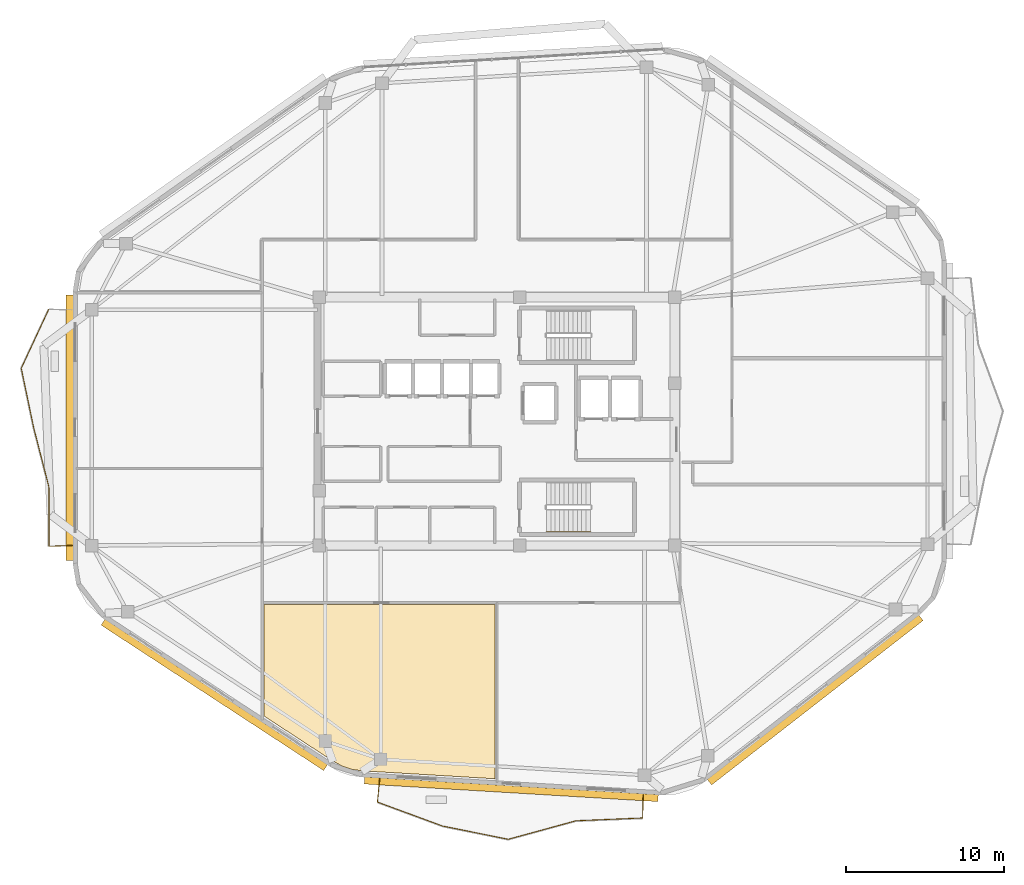
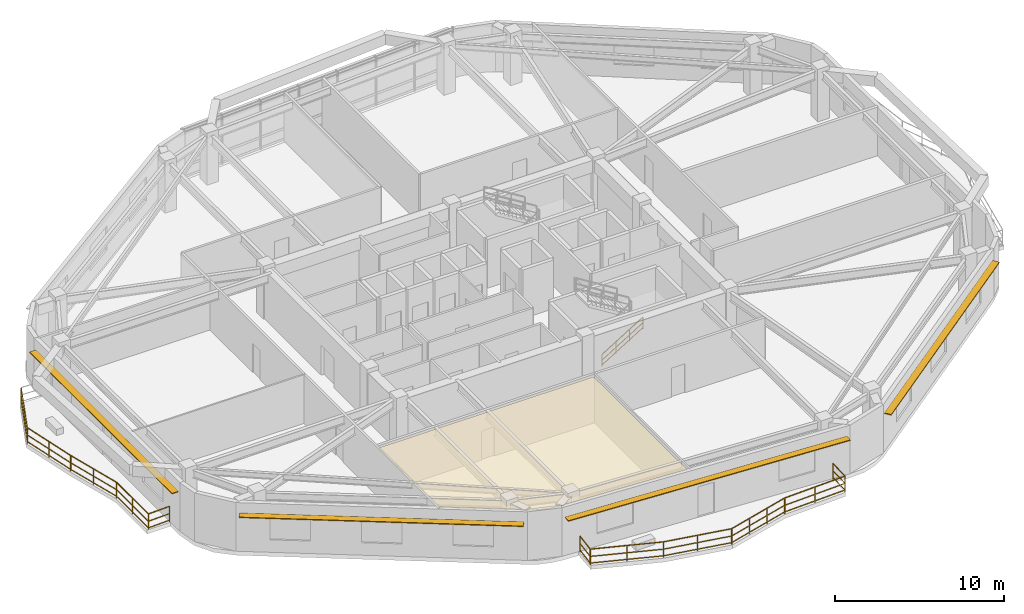
# One storey, part 10 of 12: 12 railings, 4 shading devices, 1 covering.
"""IFC4 building model written with IfcOpenShell, lengths in metres."""

import ifcopenshell
import ifcopenshell.guid

model = None  # the IFC model being written
_history = None  # IfcOwnerHistory: only IFC2X3 demands one
_inside = {}  # id of a spatial element -> (the spatial element, [elements in it])
_under = {}  # id of a project, library or spatial element -> (it, [spatial elements below it])
_declared = {}  # id of a project -> (the project, [libraries it declares])
_typed = {}  # id of a type object -> (the type object, [elements of that type])
_made_of = {}  # id of a material, layer set ... -> (it, [elements and type objects made of it])


def new_model(schema):
    """Start an empty IFC model of exactly this schema.

    Asked for "IFC4X3", IfcOpenShell would pick the latest addendum, in which some entities
    have other attributes; the version numbers below select the first issue.
    IFC2X3 requires an IfcOwnerHistory on every rooted entity: one is made here for all.
    """
    global model, _history
    if schema == "IFC4X3":
        model = ifcopenshell.file(schema_version=(4, 3, 0, 0))
    else:
        model = ifcopenshell.file(schema=schema)
    _inside.clear()
    _under.clear()
    _declared.clear()
    _typed.clear()
    _made_of.clear()
    _history = None
    if model.schema == "IFC2X3":
        org = make("IfcOrganization", Name="unknown")
        user = make(
            "IfcPersonAndOrganization",
            ThePerson=make("IfcPerson", FamilyName="unknown"),
            TheOrganization=org,
        )
        app = make(
            "IfcApplication",
            ApplicationDeveloper=org,
            Version="unknown",
            ApplicationFullName="unknown",
            ApplicationIdentifier="unknown",
        )
        _history = make(
            "IfcOwnerHistory",
            OwningUser=user,
            OwningApplication=app,
            ChangeAction="ADDED",
            CreationDate=0,
        )
    return model


def make(cls, **values):
    """One entity of the class cls with the attributes given. An attribute that is None is left unset."""
    return model.create_entity(
        cls, **{name: value for name, value in values.items() if value is not None}
    )


def rooted(cls, **values):
    """An entity with a GlobalId (a new one), such as an element, a storey or a relation."""
    return make(cls, GlobalId=ifcopenshell.guid.new(), OwnerHistory=_history, **values)


def si_unit(unit_type, name, prefix=None):
    """IfcSIUnit, for example si_unit("LENGTHUNIT", "METRE", prefix="MILLI")."""
    return make("IfcSIUnit", UnitType=unit_type, Prefix=prefix, Name=name)


def assignment(units):
    """IfcUnitAssignment: the units of a project."""
    return None if units is None else make("IfcUnitAssignment", Units=units)


def point(xyz):
    """IfcCartesianPoint."""
    return None if xyz is None else make("IfcCartesianPoint", Coordinates=xyz)


def direction(xyz):
    """IfcDirection."""
    return None if xyz is None else make("IfcDirection", DirectionRatios=xyz)


def frame(location, z_axis=None, x_axis=None):
    """IfcAxis2Placement3D, a coordinate frame: its origin and axes. An axis left out is left unset."""
    return make(
        "IfcAxis2Placement3D",
        Location=point(location),
        Axis=direction(z_axis),
        RefDirection=direction(x_axis),
    )


def frame_2d(location, x_axis=None):
    """IfcAxis2Placement2D, a coordinate frame in the plane: its origin and x axis."""
    return make(
        "IfcAxis2Placement2D", Location=point(location), RefDirection=direction(x_axis)
    )


def origin():
    """The frame at (0, 0, 0) with its axes left unset."""
    return frame((0.0, 0.0, 0.0))


def origin_2d():
    """The frame at (0, 0) in the plane with its x axis left unset."""
    return frame_2d((0.0, 0.0))


def place(relative_to, where):
    """IfcLocalPlacement: puts the frame where relative to a parent placement (None: the world)."""
    return make(
        "IfcLocalPlacement", PlacementRelTo=relative_to, RelativePlacement=where
    )


def context(
    kind, dimensions, precision=None, world=None, true_north=None, identifier=None
):
    """IfcGeometricRepresentationContext, for example the 3D "Model" context."""
    return make(
        "IfcGeometricRepresentationContext",
        ContextIdentifier=identifier,
        ContextType=kind,
        CoordinateSpaceDimension=dimensions,
        Precision=precision,
        WorldCoordinateSystem=world,
        TrueNorth=true_north,
    )


def subcontext(parent, identifier, kind, view, scale=None):
    """IfcGeometricRepresentationSubContext, for example "Body" below "Model"."""
    return make(
        "IfcGeometricRepresentationSubContext",
        ContextIdentifier=identifier,
        ContextType=kind,
        ParentContext=parent,
        TargetScale=scale,
        TargetView=view,
    )


def project(units=None, contexts=None):
    """IfcProject with its units and contexts."""
    return rooted(
        "IfcProject",
        Name="project",
        RepresentationContexts=contexts,
        UnitsInContext=assignment(units),
    )


def spatial(cls, under=None, at=None, **own):
    """A site, building, storey or space (cls), placed at a placement, below another one or the project."""
    s = rooted(cls, ObjectPlacement=at, **own)
    if under is not None:
        _under.setdefault(under.id(), (under, []))[1].append(s)
    return s


def polyline(points):
    """IfcPolyline through the points."""
    return make("IfcPolyline", Points=[point(p) for p in points])


def profile(cls, at=None, kind="AREA", **sizes):
    """A parametric profile (cls). Its sizes go by their IFC names, for example OverallWidth=200.0."""
    return make(cls, ProfileType=kind, Position=at, **sizes)


def rectangle(**sizes):
    """IfcRectangleProfileDef."""
    return profile("IfcRectangleProfileDef", **sizes)


def outline(outer, holes=None, kind="AREA"):
    """IfcArbitraryClosedProfileDef: a profile drawn as a closed curve; with holes, ...WithVoids."""
    if holes is None:
        return make("IfcArbitraryClosedProfileDef", ProfileType=kind, OuterCurve=outer)
    return make(
        "IfcArbitraryProfileDefWithVoids",
        ProfileType=kind,
        OuterCurve=outer,
        InnerCurves=holes,
    )


def extrude(swept, where, along, depth):
    """IfcExtrudedAreaSolid: the profile swept, set in the frame where, extruded along a direction by depth."""
    return make(
        "IfcExtrudedAreaSolid",
        SweptArea=swept,
        Position=where,
        ExtrudedDirection=direction(along),
        Depth=depth,
    )


def shape(context_of_items, identifier, shape_type, items):
    """IfcShapeRepresentation: the items that make up one representation, for example the "Body"."""
    return make(
        "IfcShapeRepresentation",
        ContextOfItems=context_of_items,
        RepresentationIdentifier=identifier,
        RepresentationType=shape_type,
        Items=items,
    )


def material(Name=None, Category=None):
    """IfcMaterial."""
    return make("IfcMaterial", Name=Name, Category=Category)


def layer(
    of_material, thickness, ventilated=None, Name=None, Category=None, Priority=None
):
    """IfcMaterialLayer: one layer of a wall or slab, of a material (None: an air gap)."""
    return make(
        "IfcMaterialLayer",
        Material=of_material,
        LayerThickness=thickness,
        IsVentilated=ventilated,
        Name=Name,
        Category=Category,
        Priority=Priority,
    )


def layer_set(layers, Name=None):
    """IfcMaterialLayerSet."""
    return make("IfcMaterialLayerSet", MaterialLayers=layers, LayerSetName=Name)


def made_of(thing, what):
    """Note that an element or type object is made of a material, layer set ...; save() writes the relation."""
    if what is not None:
        _made_of.setdefault(what.id(), (what, []))[1].append(thing)
    return thing


def type_object(cls, material=None, **own):
    """A type object (cls), such as IfcWallType, which elements share."""
    return made_of(rooted(cls, **own), material)


def element(
    cls,
    number,
    at=None,
    inside=None,
    cuts=None,
    type_object=None,
    material=None,
    context=None,
    identifier="Body",
    shape_type=None,
    held_by="IfcProductDefinitionShape",
    body=None,
    shapes=None,
    **own,
):
    """One element of the class cls, such as IfcWall. Its Tag is "e" and its number.

    at: its placement. inside: the storey or other place that contains it. cuts: it is an
    opening in that element (IfcRelVoidsElement). A single representation is given by context,
    identifier, shape_type and body (its items); several are given by shapes. held_by: the class
    of the entity that holds the representations. save() writes the other relations.
    """
    e = rooted(cls, Tag="e%d" % number, ObjectPlacement=at, **own)
    if body is not None:
        shapes = [shape(context, identifier, shape_type, body)]
    if shapes is not None:
        e.Representation = make(held_by, Representations=shapes)
    if inside is not None:
        _inside.setdefault(inside.id(), (inside, []))[1].append(e)
    if cuts is not None:
        rooted(
            "IfcRelVoidsElement", RelatingBuildingElement=cuts, RelatedOpeningElement=e
        )
    if type_object is not None:
        _typed.setdefault(type_object.id(), (type_object, []))[1].append(e)
    return made_of(e, material)


def aggregate(whole, parts):
    """IfcRelAggregates: a whole, such as a stair, and the parts it consists of."""
    return rooted("IfcRelAggregates", RelatingObject=whole, RelatedObjects=parts)


def save(model, path):
    """Write the relations noted so far, then the file.

    IfcRelAggregates (storeys below a building ...), IfcRelContainedInSpatialStructure (elements
    in a storey), IfcRelDefinesByType, IfcRelAssociatesMaterial and IfcRelDeclares: one each for
    every whole, place, type object, material and project.
    """
    for whole, parts in _under.values():
        aggregate(whole, parts)
    for where, things in _inside.values():
        rooted(
            "IfcRelContainedInSpatialStructure",
            RelatedElements=things,
            RelatingStructure=where,
        )
    for kind, things in _typed.values():
        rooted("IfcRelDefinesByType", RelatedObjects=things, RelatingType=kind)
    for what, things in _made_of.values():
        rooted("IfcRelAssociatesMaterial", RelatedObjects=things, RelatingMaterial=what)
    for by, libraries in _declared.values():
        rooted("IfcRelDeclares", RelatingContext=by, RelatedDefinitions=libraries)
    model.write(path)


model = new_model("IFC4")

# Units and contexts
model_context = context("Model", 3, precision=1e-05, world=origin(), true_north=direction((0.0, 1.0)))
body_context = subcontext(model_context, "Body", "Model", "MODEL_VIEW")
ifc_project = project(units=[si_unit("LENGTHUNIT", "METRE"), si_unit("AREAUNIT", "SQUARE_METRE"), si_unit("VOLUMEUNIT", "CUBIC_METRE"), si_unit("PLANEANGLEUNIT", "RADIAN"), si_unit("MASSUNIT", "GRAM", prefix="KILO")], contexts=[model_context])

# Site, building, storey
site_placement = place(None, origin())
site = spatial("IfcSite", under=ifc_project, at=site_placement, CompositionType="ELEMENT")
building_placement = place(site_placement, origin())
building = spatial("IfcBuilding", under=site, at=building_placement, Name="Zulverin Broadcast Headquarters", CompositionType="ELEMENT")
storey_placement = place(building_placement, frame((0.0, 0.0, 263.0)))
storey = spatial("IfcBuildingStorey", under=building, at=storey_placement, Name="L67", CompositionType="ELEMENT", Elevation=263.0)

# Covering
ifc_material_1 = material(Name="Perforated pale-metal acoustic baffle ceiling", Category="aluminium")
ifc_layer_1 = layer(ifc_material_1, 0.0400390625, Name="Perforated pale-metal acoustic baffle ceiling", Category="aluminium")
ifc_layer_set_1 = layer_set([ifc_layer_1], Name="Perforated pale-metal acoustic baffle ceiling")
covering_type = type_object("IfcCoveringType", Name="COV-CEIL-ACOU", PredefinedType="CEILING", material=ifc_layer_set_1)
covering_placement = place(storey_placement, frame((0.0, 0.0, 3.330078125)))
element("IfcCovering", 1, at=covering_placement, inside=storey, type_object=covering_type, Name="L67 Acoustic Baffle Ceiling 03", PredefinedType="CEILING", context=body_context, shape_type="SweptSolid", body=[
    extrude(outline(polyline([(27.18798828125, 3.33203125), (27.7958984375, 3.1279296875), (28.444091796875, 3.031982421875), (36.8798828125, 2.528076171875), (36.8798828125, 13.580078125), (22.219970703125, 13.580078125), (22.219970703125, 6.508056640625), (26.60791015625, 3.639892578125), (27.18798828125, 3.33203125)])), origin(), (0.0, 0.0, 1.0), 0.0400390625),
])

# Railings
ifc_material_2 = material(Name="Brushed stainless steel & laminated glass balustrade", Category="steel")
railing_type_1 = type_object("IfcRailingType", Name="RL-GUARD-1150", PredefinedType="GUARDRAIL", material=ifc_material_2)
railing_1_placement = place(storey_placement, frame((29.5576171875, 2.525390625, 0.0)))
element("IfcRailing", 2, at=railing_1_placement, inside=storey, type_object=railing_type_1, Name="L67 Vertical-Forest Balcony Guardrail BAL_S Segment 01", PredefinedType="GUARDRAIL", context=body_context, shape_type="SweptSolid", body=[
    extrude(rectangle(XDim=0.048095703125, YDim=0.048095703125, at=origin_2d()), frame((0.0, 0.0, 1.1259765625), z_axis=(-0.100245616419, -0.994962721105, 0.0), x_axis=(0.994962721105, -0.100245616419, 0.0)), (0.0, 0.0, 1.0), 1.466064453125),
    extrude(rectangle(XDim=0.0419921875, YDim=0.0419921875, at=origin_2d()), frame((0.0, 0.0, 0.597900390625), z_axis=(-0.100245616419, -0.994962721105, 0.0), x_axis=(0.994962721105, -0.100245616419, 0.0)), (0.0, 0.0, 1.0), 1.466064453125),
    extrude(rectangle(XDim=0.0419921875, YDim=0.0419921875, at=origin_2d()), frame((0.0, 0.0, 0.1201171875), z_axis=(-0.100245616419, -0.994962721105, 0.0), x_axis=(0.994962721105, -0.100245616419, 0.0)), (0.0, 0.0, 1.0), 1.466064453125),
    extrude(rectangle(XDim=0.0419921875, YDim=0.0419921875, at=origin_2d()), origin(), (0.0, 0.0, 1.0), 1.101806640625),
    extrude(rectangle(XDim=0.0419921875, YDim=0.0419921875, at=origin_2d()), frame((-0.14697265625, -1.458740234375, 0.0)), (0.0, 0.0, 1.0), 1.101806640625),
])
railing_2_placement = place(storey_placement, frame((29.423095703125, 1.04638671875, 0.0)))
element("IfcRailing", 3, at=railing_2_placement, inside=storey, type_object=railing_type_1, Name="L67 Vertical-Forest Balcony Guardrail BAL_S Segment 02", PredefinedType="GUARDRAIL", context=body_context, shape_type="SweptSolid", body=[
    extrude(rectangle(XDim=0.048095703125, YDim=0.048095703125, at=origin_2d()), frame((0.0, 0.0, 1.1259765625), z_axis=(0.938579351325, -0.345063474257, 0.0), x_axis=(0.345063474257, 0.938579351325, 0.0)), (0.0, 0.0, 1.0), 4.371826171875),
    extrude(rectangle(XDim=0.0419921875, YDim=0.0419921875, at=origin_2d()), frame((0.0, 0.0, 0.597900390625), z_axis=(0.938579351325, -0.345063474257, 0.0), x_axis=(0.345063474257, 0.938579351325, 0.0)), (0.0, 0.0, 1.0), 4.371826171875),
    extrude(rectangle(XDim=0.0419921875, YDim=0.0419921875, at=origin_2d()), frame((0.0, 0.0, 0.1201171875), z_axis=(0.938579351325, -0.345063474257, 0.0), x_axis=(0.345063474257, 0.938579351325, 0.0)), (0.0, 0.0, 1.0), 4.371826171875),
    extrude(rectangle(XDim=0.0419921875, YDim=0.0419921875, at=origin_2d()), origin(), (0.0, 0.0, 1.0), 1.101806640625),
    extrude(rectangle(XDim=0.0419921875, YDim=0.0419921875, at=origin_2d()), frame((2.0517578125, -0.75439453125, 0.0)), (0.0, 0.0, 1.0), 1.101806640625),
    extrude(rectangle(XDim=0.0419921875, YDim=0.0419921875, at=origin_2d()), frame((4.103271484375, -1.508544921875, 0.0)), (0.0, 0.0, 1.0), 1.101806640625),
])
railing_3_placement = place(storey_placement, frame((33.55517578125, -0.470458984375, 0.0)))
element("IfcRailing", 4, at=railing_3_placement, inside=storey, type_object=railing_type_1, Name="L67 Vertical-Forest Balcony Guardrail BAL_S Segment 03", PredefinedType="GUARDRAIL", context=body_context, shape_type="SweptSolid", body=[
    extrude(rectangle(XDim=0.048095703125, YDim=0.048095703125, at=origin_2d()), frame((0.0, 0.0, 1.1259765625), z_axis=(0.980275080469, -0.197637968546, 0.0), x_axis=(0.197637968546, 0.980275080469, 0.0)), (0.0, 0.0, 1.0), 4.225830078125),
    extrude(rectangle(XDim=0.0419921875, YDim=0.0419921875, at=origin_2d()), frame((0.0, 0.0, 0.597900390625), z_axis=(0.980275080469, -0.197637968546, 0.0), x_axis=(0.197637968546, 0.980275080469, 0.0)), (0.0, 0.0, 1.0), 4.225830078125),
    extrude(rectangle(XDim=0.0419921875, YDim=0.0419921875, at=origin_2d()), frame((0.0, 0.0, 0.1201171875), z_axis=(0.980275080469, -0.197637968546, 0.0), x_axis=(0.197637968546, 0.980275080469, 0.0)), (0.0, 0.0, 1.0), 4.225830078125),
    extrude(rectangle(XDim=0.0419921875, YDim=0.0419921875, at=origin_2d()), origin(), (0.0, 0.0, 1.0), 1.101806640625),
    extrude(rectangle(XDim=0.0419921875, YDim=0.0419921875, at=origin_2d()), frame((2.0712890625, -0.41748046875, 0.0)), (0.0, 0.0, 1.0), 1.101806640625),
    extrude(rectangle(XDim=0.0419921875, YDim=0.0419921875, at=origin_2d()), frame((4.142578125, -0.835205078125, 0.0)), (0.0, 0.0, 1.0), 1.101806640625),
])
railing_4_placement = place(storey_placement, frame((37.72705078125, -1.3046875, 0.0)))
element("IfcRailing", 5, at=railing_4_placement, inside=storey, type_object=railing_type_1, Name="L67 Vertical-Forest Balcony Guardrail BAL_S Segment 04", PredefinedType="GUARDRAIL", context=body_context, shape_type="SweptSolid", body=[
    extrude(rectangle(XDim=0.048095703125, YDim=0.048095703125, at=origin_2d()), frame((0.0, 0.0, 1.1259765625), z_axis=(0.964569834337, 0.263827660958, 0.0), x_axis=(-0.263827660958, 0.964569834337, 0.0)), (0.0, 0.0, 1.0), 4.420654296875),
    extrude(rectangle(XDim=0.0419921875, YDim=0.0419921875, at=origin_2d()), frame((0.0, 0.0, 0.597900390625), z_axis=(0.964569834337, 0.263827660958, 0.0), x_axis=(-0.263827660958, 0.964569834337, 0.0)), (0.0, 0.0, 1.0), 4.420654296875),
    extrude(rectangle(XDim=0.0419921875, YDim=0.0419921875, at=origin_2d()), frame((0.0, 0.0, 0.1201171875), z_axis=(0.964569834337, 0.263827660958, 0.0), x_axis=(-0.263827660958, 0.964569834337, 0.0)), (0.0, 0.0, 1.0), 4.420654296875),
    extrude(rectangle(XDim=0.0419921875, YDim=0.0419921875, at=origin_2d()), origin(), (0.0, 0.0, 1.0), 1.101806640625),
    extrude(rectangle(XDim=0.0419921875, YDim=0.0419921875, at=origin_2d()), frame((1.42138671875, 0.388671875, 0.0)), (0.0, 0.0, 1.0), 1.101806640625),
    extrude(rectangle(XDim=0.0419921875, YDim=0.0419921875, at=origin_2d()), frame((2.842529296875, 0.777587890625, 0.0)), (0.0, 0.0, 1.0), 1.101806640625),
    extrude(rectangle(XDim=0.0419921875, YDim=0.0419921875, at=origin_2d()), frame((4.263916015625, 1.166259765625, 0.0)), (0.0, 0.0, 1.0), 1.101806640625),
])
railing_5_placement = place(storey_placement, frame((42.0205078125, -0.1337890625, 0.0)))
element("IfcRailing", 6, at=railing_5_placement, inside=storey, type_object=railing_type_1, Name="L67 Vertical-Forest Balcony Guardrail BAL_S Segment 05", PredefinedType="GUARDRAIL", context=body_context, shape_type="SweptSolid", body=[
    extrude(rectangle(XDim=0.048095703125, YDim=0.048095703125, at=origin_2d()), frame((0.0, 0.0, 1.1259765625), z_axis=(0.999138596568, 0.041497769187, 0.0), x_axis=(-0.041497769187, 0.999138596568, 0.0)), (0.0, 0.0, 1.0), 4.20654296875),
    extrude(rectangle(XDim=0.0419921875, YDim=0.0419921875, at=origin_2d()), frame((0.0, 0.0, 0.597900390625), z_axis=(0.999138596568, 0.041497769187, 0.0), x_axis=(-0.041497769187, 0.999138596568, 0.0)), (0.0, 0.0, 1.0), 4.20654296875),
    extrude(rectangle(XDim=0.0419921875, YDim=0.0419921875, at=origin_2d()), frame((0.0, 0.0, 0.1201171875), z_axis=(0.999138596568, 0.041497769187, 0.0), x_axis=(-0.041497769187, 0.999138596568, 0.0)), (0.0, 0.0, 1.0), 4.20654296875),
    extrude(rectangle(XDim=0.0419921875, YDim=0.0419921875, at=origin_2d()), origin(), (0.0, 0.0, 1.0), 1.101806640625),
    extrude(rectangle(XDim=0.0419921875, YDim=0.0419921875, at=origin_2d()), frame((2.1015625, 0.08740234375, 0.0)), (0.0, 0.0, 1.0), 1.101806640625),
    extrude(rectangle(XDim=0.0419921875, YDim=0.0419921875, at=origin_2d()), frame((4.202880859375, 0.174560546875, 0.0)), (0.0, 0.0, 1.0), 1.101806640625),
])
railing_6_placement = place(storey_placement, frame((46.23876953125, 0.056396484375, 0.0)))
element("IfcRailing", 7, at=railing_6_placement, inside=storey, type_object=railing_type_1, Name="L67 Vertical-Forest Balcony Guardrail BAL_S Segment 06", PredefinedType="GUARDRAIL", context=body_context, shape_type="SweptSolid", body=[
    extrude(rectangle(XDim=0.048095703125, YDim=0.048095703125, at=origin_2d()), frame((0.0, 0.0, 1.1259765625), z_axis=(0.019483309682, 0.999810182307, 0.0), x_axis=(-0.999810182307, 0.019483309682, 0.0)), (0.0, 0.0, 1.0), 1.466064453125),
    extrude(rectangle(XDim=0.0419921875, YDim=0.0419921875, at=origin_2d()), frame((0.0, 0.0, 0.597900390625), z_axis=(0.019483309682, 0.999810182307, 0.0), x_axis=(-0.999810182307, 0.019483309682, 0.0)), (0.0, 0.0, 1.0), 1.466064453125),
    extrude(rectangle(XDim=0.0419921875, YDim=0.0419921875, at=origin_2d()), frame((0.0, 0.0, 0.1201171875), z_axis=(0.019483309682, 0.999810182307, 0.0), x_axis=(-0.999810182307, 0.019483309682, 0.0)), (0.0, 0.0, 1.0), 1.466064453125),
    extrude(rectangle(XDim=0.0419921875, YDim=0.0419921875, at=origin_2d()), origin(), (0.0, 0.0, 1.0), 1.101806640625),
    extrude(rectangle(XDim=0.0419921875, YDim=0.0419921875, at=origin_2d()), frame((0.028564453125, 1.4658203125, 0.0)), (0.0, 0.0, 1.0), 1.101806640625),
])
railing_7_placement = place(storey_placement, frame((8.57373046875, 32.311767578125, 0.0)))
element("IfcRailing", 8, at=railing_7_placement, inside=storey, type_object=railing_type_1, Name="L67 Vertical-Forest Balcony Guardrail BAL_W Segment 02", PredefinedType="GUARDRAIL", context=body_context, shape_type="SweptSolid", body=[
    extrude(rectangle(XDim=0.048095703125, YDim=0.048095703125, at=origin_2d()), frame((0.0, 0.0, 1.1259765625), z_axis=(-0.422386173214, -0.90641597552, 0.0), x_axis=(0.90641597552, -0.422386173214, 0.0)), (0.0, 0.0, 1.0), 4.122802734375),
    extrude(rectangle(XDim=0.0419921875, YDim=0.0419921875, at=origin_2d()), frame((0.0, 0.0, 0.597900390625), z_axis=(-0.422386173214, -0.90641597552, 0.0), x_axis=(0.90641597552, -0.422386173214, 0.0)), (0.0, 0.0, 1.0), 4.122802734375),
    extrude(rectangle(XDim=0.0419921875, YDim=0.0419921875, at=origin_2d()), frame((0.0, 0.0, 0.1201171875), z_axis=(-0.422386173214, -0.90641597552, 0.0), x_axis=(0.90641597552, -0.422386173214, 0.0)), (0.0, 0.0, 1.0), 4.122802734375),
    extrude(rectangle(XDim=0.0419921875, YDim=0.0419921875, at=origin_2d()), origin(), (0.0, 0.0, 1.0), 1.101806640625),
    extrude(rectangle(XDim=0.0419921875, YDim=0.0419921875, at=origin_2d()), frame((-0.87060546875, -1.86865234375, 0.0)), (0.0, 0.0, 1.0), 1.101806640625),
    extrude(rectangle(XDim=0.0419921875, YDim=0.0419921875, at=origin_2d()), frame((-1.741455078125, -3.737060546875, 0.0)), (0.0, 0.0, 1.0), 1.101806640625),
])
railing_8_placement = place(storey_placement, frame((6.8291015625, 28.54638671875, 0.0)))
element("IfcRailing", 9, at=railing_8_placement, inside=storey, type_object=railing_type_1, Name="L67 Vertical-Forest Balcony Guardrail BAL_W Segment 03", PredefinedType="GUARDRAIL", context=body_context, shape_type="SweptSolid", body=[
    extrude(rectangle(XDim=0.048095703125, YDim=0.048095703125, at=origin_2d()), frame((0.0, 0.0, 1.1259765625), z_axis=(0.204575158327, -0.97885085922, 0.0), x_axis=(0.97885085922, 0.204575158327, 0.0)), (0.0, 0.0, 1.0), 3.8154296875),
    extrude(rectangle(XDim=0.0419921875, YDim=0.0419921875, at=origin_2d()), frame((0.0, 0.0, 0.597900390625), z_axis=(0.204575158327, -0.97885085922, 0.0), x_axis=(0.97885085922, 0.204575158327, 0.0)), (0.0, 0.0, 1.0), 3.8154296875),
    extrude(rectangle(XDim=0.0419921875, YDim=0.0419921875, at=origin_2d()), frame((0.0, 0.0, 0.1201171875), z_axis=(0.204575158327, -0.97885085922, 0.0), x_axis=(0.97885085922, 0.204575158327, 0.0)), (0.0, 0.0, 1.0), 3.8154296875),
    extrude(rectangle(XDim=0.0419921875, YDim=0.0419921875, at=origin_2d()), origin(), (0.0, 0.0, 1.0), 1.101806640625),
    extrude(rectangle(XDim=0.0419921875, YDim=0.0419921875, at=origin_2d()), frame((0.39013671875, -1.8671875, 0.0)), (0.0, 0.0, 1.0), 1.101806640625),
    extrude(rectangle(XDim=0.0419921875, YDim=0.0419921875, at=origin_2d()), frame((0.780517578125, -3.734619140625, 0.0)), (0.0, 0.0, 1.0), 1.101806640625),
])
railing_9_placement = place(storey_placement, frame((7.616455078125, 24.782470703125, 0.0)))
element("IfcRailing", 10, at=railing_9_placement, inside=storey, type_object=railing_type_1, Name="L67 Vertical-Forest Balcony Guardrail BAL_W Segment 04", PredefinedType="GUARDRAIL", context=body_context, shape_type="SweptSolid", body=[
    extrude(rectangle(XDim=0.048095703125, YDim=0.048095703125, at=origin_2d()), frame((0.0, 0.0, 1.1259765625), z_axis=(0.248920581309, -0.968523899654, 0.0), x_axis=(0.968523899654, 0.248920581309, 0.0)), (0.0, 0.0, 1.0), 3.8564453125),
    extrude(rectangle(XDim=0.0419921875, YDim=0.0419921875, at=origin_2d()), frame((0.0, 0.0, 0.597900390625), z_axis=(0.248920581309, -0.968523899654, 0.0), x_axis=(0.968523899654, 0.248920581309, 0.0)), (0.0, 0.0, 1.0), 3.8564453125),
    extrude(rectangle(XDim=0.0419921875, YDim=0.0419921875, at=origin_2d()), frame((0.0, 0.0, 0.1201171875), z_axis=(0.248920581309, -0.968523899654, 0.0), x_axis=(0.968523899654, 0.248920581309, 0.0)), (0.0, 0.0, 1.0), 3.8564453125),
    extrude(rectangle(XDim=0.0419921875, YDim=0.0419921875, at=origin_2d()), origin(), (0.0, 0.0, 1.0), 1.101806640625),
    extrude(rectangle(XDim=0.0419921875, YDim=0.0419921875, at=origin_2d()), frame((0.47998046875, -1.86767578125, 0.0)), (0.0, 0.0, 1.0), 1.101806640625),
    extrude(rectangle(XDim=0.0419921875, YDim=0.0419921875, at=origin_2d()), frame((0.9599609375, -3.735107421875, 0.0)), (0.0, 0.0, 1.0), 1.101806640625),
])
railing_10_placement = place(storey_placement, frame((8.580078125, 21.017822265625, 0.0)))
element("IfcRailing", 11, at=railing_10_placement, inside=storey, type_object=railing_type_1, Name="L67 Vertical-Forest Balcony Guardrail BAL_W Segment 05", PredefinedType="GUARDRAIL", context=body_context, shape_type="SweptSolid", body=[
    extrude(rectangle(XDim=0.048095703125, YDim=0.048095703125, at=origin_2d()), frame((0.0, 0.0, 1.1259765625), z_axis=(0.0, -1.0, 0.0), x_axis=(1.0, 0.0, 0.0)), (0.0, 0.0, 1.0), 3.734130859375),
    extrude(rectangle(XDim=0.0419921875, YDim=0.0419921875, at=origin_2d()), frame((0.0, 0.0, 0.597900390625), z_axis=(0.0, -1.0, 0.0), x_axis=(1.0, 0.0, 0.0)), (0.0, 0.0, 1.0), 3.734130859375),
    extrude(rectangle(XDim=0.0419921875, YDim=0.0419921875, at=origin_2d()), frame((0.0, 0.0, 0.1201171875), z_axis=(0.0, -1.0, 0.0), x_axis=(1.0, 0.0, 0.0)), (0.0, 0.0, 1.0), 3.734130859375),
    extrude(rectangle(XDim=0.0419921875, YDim=0.0419921875, at=origin_2d()), origin(), (0.0, 0.0, 1.0), 1.101806640625),
    extrude(rectangle(XDim=0.0419921875, YDim=0.0419921875, at=origin_2d()), frame((0.0, -1.8671875, 0.0)), (0.0, 0.0, 1.0), 1.101806640625),
    extrude(rectangle(XDim=0.0419921875, YDim=0.0419921875, at=origin_2d()), frame((0.0, -3.734130859375, 0.0)), (0.0, 0.0, 1.0), 1.101806640625),
])
railing_11_placement = place(storey_placement, frame((8.594970703125, 17.269287109375, 0.0)))
element("IfcRailing", 12, at=railing_11_placement, inside=storey, type_object=railing_type_1, Name="L67 Vertical-Forest Balcony Guardrail BAL_W Segment 06", PredefinedType="GUARDRAIL", context=body_context, shape_type="SweptSolid", body=[
    extrude(rectangle(XDim=0.048095703125, YDim=0.048095703125, at=origin_2d()), frame((0.0, 0.0, 1.1259765625), z_axis=(0.999181155166, 0.040460093435, 0.0), x_axis=(-0.040460093435, 0.999181155166, 0.0)), (0.0, 0.0, 1.0), 1.46630859375),
    extrude(rectangle(XDim=0.0419921875, YDim=0.0419921875, at=origin_2d()), frame((0.0, 0.0, 0.597900390625), z_axis=(0.999181155166, 0.040460093435, 0.0), x_axis=(-0.040460093435, 0.999181155166, 0.0)), (0.0, 0.0, 1.0), 1.46630859375),
    extrude(rectangle(XDim=0.0419921875, YDim=0.0419921875, at=origin_2d()), frame((0.0, 0.0, 0.1201171875), z_axis=(0.999181155166, 0.040460093435, 0.0), x_axis=(-0.040460093435, 0.999181155166, 0.0)), (0.0, 0.0, 1.0), 1.46630859375),
    extrude(rectangle(XDim=0.0419921875, YDim=0.0419921875, at=origin_2d()), origin(), (0.0, 0.0, 1.0), 1.101806640625),
    extrude(rectangle(XDim=0.0419921875, YDim=0.0419921875, at=origin_2d()), frame((1.465087890625, 0.059326171875, 0.0)), (0.0, 0.0, 1.0), 1.101806640625),
])
ifc_material_3 = material(Name="Brushed stainless steel 48 mm handrail", Category="steel")
railing_type_2 = type_object("IfcRailingType", Name="RL-ST-HAND", PredefinedType="HANDRAIL", material=ifc_material_3)
railing_12_placement = place(storey_placement, frame((40.1298828125, 18.199951171875, 0.172607421875)))
element("IfcRailing", 13, at=railing_12_placement, inside=storey, type_object=railing_type_2, Name="L67 ST-2 stair handrail 1", PredefinedType="HANDRAIL", context=body_context, shape_type="SweptSolid", body=[
    extrude(rectangle(XDim=0.048095703125, YDim=0.048095703125, at=origin_2d()), frame((0.0, 0.0, 0.8759765625), z_axis=(0.851089632645, 0.0, 0.525020415988), x_axis=(0.0, 1.0, 0.0)), (0.0, 0.0, 1.0), 3.2900390625),
    extrude(rectangle(XDim=0.0419921875, YDim=0.0419921875, at=origin_2d()), frame((0.0, 0.0, 0.468017578125), z_axis=(0.851089632645, 0.0, 0.525020415988), x_axis=(0.0, 1.0, 0.0)), (0.0, 0.0, 1.0), 3.2900390625),
    extrude(rectangle(XDim=0.0419921875, YDim=0.0419921875, at=origin_2d()), frame((0.0, 0.0, 0.1201171875), z_axis=(0.851089632645, 0.0, 0.525020415988), x_axis=(0.0, 1.0, 0.0)), (0.0, 0.0, 1.0), 3.2900390625),
    extrude(rectangle(XDim=0.0419921875, YDim=0.0419921875, at=origin_2d()), origin(), (0.0, 0.0, 1.0), 0.851806640625),
    extrude(rectangle(XDim=0.0419921875, YDim=0.0419921875, at=origin_2d()), frame((0.933349609375, 0.0, 0.57568359375)), (0.0, 0.0, 1.0), 0.851806640625),
    extrude(rectangle(XDim=0.0419921875, YDim=0.0419921875, at=origin_2d()), frame((1.86669921875, 0.0, 1.151611328125)), (0.0, 0.0, 1.0), 0.851806640625),
    extrude(rectangle(XDim=0.0419921875, YDim=0.0419921875, at=origin_2d()), frame((2.800048828125, 0.0, 1.727294921875)), (0.0, 0.0, 1.0), 0.851806640625),
])

# Shading devices
ifc_material_4 = material(Name="Anodized pale-metal aluminium sunshade", Category="aluminium")
ifc_layer_2 = layer(ifc_material_4, 0.06005859375, Name="Anodized pale-metal aluminium sunshade", Category="aluminium")
ifc_layer_set_2 = layer_set([ifc_layer_2], Name="Anodized pale-metal aluminium sunshade")
shading_device_type = type_object("IfcShadingDeviceType", Name="SS-01_PALE_METAL_ALUMINIUM_SUNSHADE", PredefinedType="USERDEFINED", material=ifc_layer_set_2)
shading_device_1_placement = place(storey_placement, frame((37.90283203125, 1.864013671875, 2.7099609375), z_axis=(0.0, 0.0, 1.0), x_axis=(0.998202681386, -0.059928347834, 0.0)))
element("IfcShadingDevice", 14, at=shading_device_1_placement, inside=storey, type_object=shading_device_type, Name="L67 Horizontal Pale-Metal Sunshade Band 1", ObjectType="SUNSHADE", PredefinedType="USERDEFINED", context=body_context, shape_type="SweptSolid", body=[
    extrude(rectangle(XDim=18.65966796875, YDim=0.449951171875, at=origin_2d()), origin(), (0.0, 0.0, 1.0), 0.06005859375),
])
shading_device_2_placement = place(storey_placement, frame((57.176025390625, 7.52685546875, 2.7099609375), z_axis=(0.0, 0.0, 1.0), x_axis=(0.789459183061, 0.613803061479, 0.0)))
element("IfcShadingDevice", 15, at=shading_device_2_placement, inside=storey, type_object=shading_device_type, Name="L67 Horizontal Pale-Metal Sunshade Band 2", ObjectType="SUNSHADE", PredefinedType="USERDEFINED", context=body_context, shape_type="SweptSolid", body=[
    extrude(rectangle(XDim=16.987548828125, YDim=0.449951171875, at=origin_2d()), origin(), (0.0, 0.0, 1.0), 0.06005859375),
])
shading_device_3_placement = place(storey_placement, frame((9.89990234375, 24.797119140625, 2.7099609375), z_axis=(0.0, 0.0, 1.0), x_axis=(0.0, -1.0, 0.0)))
element("IfcShadingDevice", 16, at=shading_device_3_placement, inside=storey, type_object=shading_device_type, Name="L67 Horizontal Pale-Metal Sunshade Band 7", ObjectType="SUNSHADE", PredefinedType="USERDEFINED", context=body_context, shape_type="SweptSolid", body=[
    extrude(rectangle(XDim=16.856689453125, YDim=0.449951171875, at=origin_2d()), origin(), (0.0, 0.0, 1.0), 0.06005859375),
])
shading_device_4_placement = place(storey_placement, frame((19.07177734375, 7.848388671875, 2.7099609375), z_axis=(0.0, 0.0, 1.0), x_axis=(0.837115830387, -0.54702567263, 0.0)))
element("IfcShadingDevice", 17, at=shading_device_4_placement, inside=storey, type_object=shading_device_type, Name="L67 Horizontal Pale-Metal Sunshade Band 8", ObjectType="SUNSHADE", PredefinedType="USERDEFINED", context=body_context, shape_type="SweptSolid", body=[
    extrude(rectangle(XDim=16.859130859375, YDim=0.449951171875, at=origin_2d()), origin(), (0.0, 0.0, 1.0), 0.06005859375),
])

save(model, "model.ifc")
